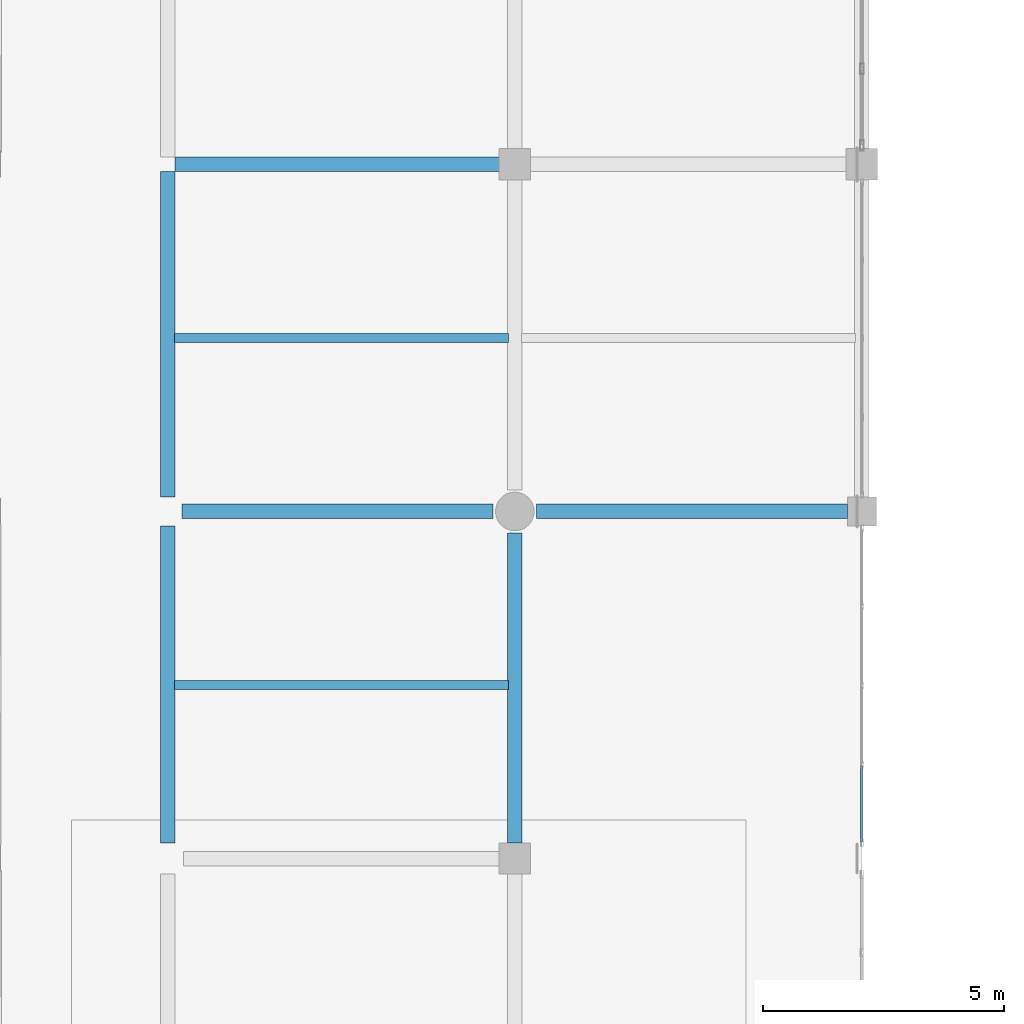
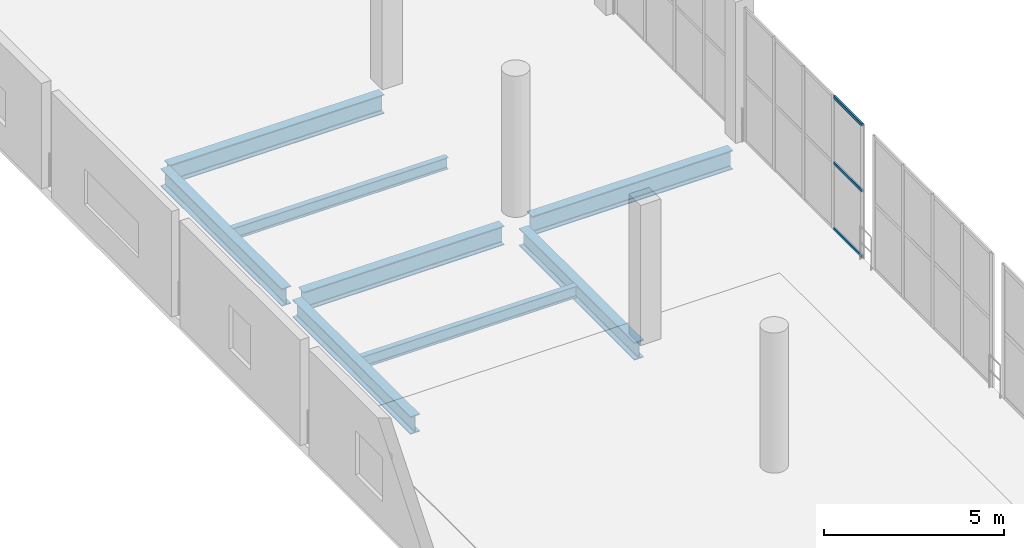
# One storey, part 49 of 105: 8 beams, 3 members, 1 element without a shape of its own.
"""IFC4 building model written with IfcOpenShell, lengths in metres."""

from ifc_helpers import new_model, si_unit, direction, frame, origin, origin_2d, place, context, subcontext, project, spatial, hollow_rectangle, i_section, extrude, material, material_profile, profile_set, type_object, element, aggregate, save


model = new_model("IFC4")

# Units and contexts
model_context = context("Model", 3, precision=1e-05, world=origin(), true_north=direction((0.0, 1.0)))
body_context = subcontext(model_context, "Body", "Model", "MODEL_VIEW")
ifc_project = project(units=[si_unit("LENGTHUNIT", "METRE"), si_unit("AREAUNIT", "SQUARE_METRE"), si_unit("VOLUMEUNIT", "CUBIC_METRE"), si_unit("PLANEANGLEUNIT", "RADIAN"), si_unit("MASSUNIT", "GRAM", prefix="KILO")], contexts=[model_context])

# Site, building, storey
site_placement = place(None, origin())
site = spatial("IfcSite", under=ifc_project, at=site_placement, CompositionType="ELEMENT")
building_placement = place(site_placement, origin())
building = spatial("IfcBuilding", under=site, at=building_placement, Name="Qandorah Velis Arena", CompositionType="ELEMENT")
storey_placement = place(building_placement, frame((0.0, 0.0, 13.800048828125)))
storey = spatial("IfcBuildingStorey", under=building, at=storey_placement, Name="L03", CompositionType="ELEMENT", Elevation=13.800048828125)

# Curtain wall, members
ifc_material_1 = material(Name="Solar-control low-E double glazing", Category="glass")
curtain_wall_type = type_object("IfcCurtainWallType", Name="ARC-CW-SYS20", PredefinedType="USERDEFINED", material=ifc_material_1)
curtain_wall_placement = place(storey_placement, origin())
curtain_wall = element("IfcCurtainWall", 1, at=curtain_wall_placement, inside=storey, type_object=curtain_wall_type, Name="Unitised curtain wall L03-116", ObjectType="UNITISED CURTAIN WALL", PredefinedType="USERDEFINED")
ifc_material_2 = material(Name="Champagne-bronze anodized aluminium 6063-T6", Category="aluminium")
ifc_material_profile_1 = material_profile(ifc_material_2, hollow_rectangle(XDim=0.054931640625, YDim=0.10009765625, WallThickness=0.0029296875, at=origin_2d()), Name="ALU TRANSOM 55x100")
ifc_profile_set_1 = profile_set([ifc_material_profile_1], Name="Champagne-bronze anodized aluminium 6063-T6")
member_type = type_object("IfcMemberType", Name="ARC-CWT-100", PredefinedType="USERDEFINED", material=ifc_profile_set_1)
member_1_placement = place(storey_placement, frame((122.39990234375, 79.54296875, 0.02734375), z_axis=(0.0, 1.0, 0.0), x_axis=(-1.0, 0.0, 0.0)))
member_1 = element("IfcMember", 2, at=member_1_placement, type_object=member_type, Name="CW20 transom 1.1", ObjectType="TRANSOM", PredefinedType="USERDEFINED", context=body_context, shape_type="SweptSolid", body=[
    extrude(hollow_rectangle(XDim=0.054931640625, YDim=0.10009765625, WallThickness=0.0029296875, at=origin_2d()), origin(), (0.0, 0.0, 1.0), 1.585205078125),
])
member_2_placement = place(storey_placement, frame((122.39990234375, 79.54296875, 2.264892578125), z_axis=(0.0, 1.0, 0.0), x_axis=(-1.0, 0.0, 0.0)))
member_2 = element("IfcMember", 3, at=member_2_placement, type_object=member_type, Name="CW20 transom 1.2", ObjectType="TRANSOM", PredefinedType="USERDEFINED", context=body_context, shape_type="SweptSolid", body=[
    extrude(hollow_rectangle(XDim=0.054931640625, YDim=0.10009765625, WallThickness=0.0029296875, at=origin_2d()), origin(), (0.0, 0.0, 1.0), 1.585205078125),
])
member_3_placement = place(storey_placement, frame((122.39990234375, 79.54296875, 4.50244140625), z_axis=(0.0, 1.0, 0.0), x_axis=(-1.0, 0.0, 0.0)))
member_3 = element("IfcMember", 4, at=member_3_placement, type_object=member_type, Name="CW20 transom 1.3", ObjectType="TRANSOM", PredefinedType="USERDEFINED", context=body_context, shape_type="SweptSolid", body=[
    extrude(hollow_rectangle(XDim=0.054931640625, YDim=0.10009765625, WallThickness=0.0029296875, at=origin_2d()), origin(), (0.0, 0.0, 1.0), 1.585205078125),
])
aggregate(curtain_wall, [member_1, member_2, member_3])

# Beams
ifc_material_3 = material(Name="Steel S355", Category="steel")
ifc_material_profile_2 = material_profile(ifc_material_3, i_section(OverallWidth=0.300048828125, OverallDepth=0.60009765625, WebThickness=0.015380859375, FlangeThickness=0.030029296875, FilletRadius=0.027099609375, at=origin_2d()), Name="HEB 600")
ifc_profile_set_2 = profile_set([ifc_material_profile_2], Name="Steel S355")
beam_type_1 = type_object("IfcBeamType", Name="STR-BM-HEB600", PredefinedType="BEAM", material=ifc_profile_set_2)
beam_1_placement = place(storey_placement, frame((108.0, 79.52490234375, -0.6201171875), z_axis=(0.0, 1.0, 0.0), x_axis=(-1.0, 0.0, 0.0)))
element("IfcBeam", 5, at=beam_1_placement, inside=storey, type_object=beam_type_1, Name="Primary floor girder L03 Y-292", PredefinedType="BEAM", context=body_context, shape_type="SweptSolid", body=[
    extrude(i_section(OverallWidth=0.300048828125, OverallDepth=0.60009765625, WebThickness=0.015380859375, FlangeThickness=0.030029296875, FilletRadius=0.027099609375, at=origin_2d()), origin(), (0.0, 0.0, 1.0), 6.5751953125),
])
beam_2_placement = place(storey_placement, frame((108.0, 86.699951171875, -0.6201171875), z_axis=(0.0, 1.0, 0.0), x_axis=(-1.0, 0.0, 0.0)))
element("IfcBeam", 6, at=beam_2_placement, inside=storey, type_object=beam_type_1, Name="Primary floor girder L03 Y-293", PredefinedType="BEAM", context=body_context, shape_type="SweptSolid", body=[
    extrude(i_section(OverallWidth=0.300048828125, OverallDepth=0.60009765625, WebThickness=0.015380859375, FlangeThickness=0.030029296875, FilletRadius=0.027099609375, at=origin_2d()), origin(), (0.0, 0.0, 1.0), 6.75),
])
beam_3_placement = place(storey_placement, frame((115.199951171875, 79.52490234375, -0.6201171875), z_axis=(0.0, 1.0, 0.0), x_axis=(-1.0, 0.0, 0.0)))
element("IfcBeam", 7, at=beam_3_placement, inside=storey, type_object=beam_type_1, Name="Primary floor girder L03 Y-309", PredefinedType="BEAM", context=body_context, shape_type="SweptSolid", body=[
    extrude(i_section(OverallWidth=0.300048828125, OverallDepth=0.60009765625, WebThickness=0.015380859375, FlangeThickness=0.030029296875, FilletRadius=0.027099609375, at=origin_2d()), origin(), (0.0, 0.0, 1.0), 6.425048828125),
])
ifc_material_profile_3 = material_profile(ifc_material_3, i_section(OverallWidth=0.300048828125, OverallDepth=0.64990234375, WebThickness=0.01611328125, FlangeThickness=0.031005859375, FilletRadius=0.027099609375, at=origin_2d()), Name="HEB 650")
ifc_profile_set_3 = profile_set([ifc_material_profile_3], Name="Steel S355")
beam_type_2 = type_object("IfcBeamType", Name="STR-BM-HEB650", PredefinedType="BEAM", material=ifc_profile_set_3)
beam_4_placement = place(storey_placement, frame((108.300048828125, 86.39990234375, -0.64501953125), z_axis=(1.0, 0.0, 0.0), x_axis=(0.0, 1.0, 0.0)))
element("IfcBeam", 8, at=beam_4_placement, inside=storey, type_object=beam_type_2, Name="Primary floor girder L03 X-107", PredefinedType="BEAM", context=body_context, shape_type="SweptSolid", body=[
    extrude(i_section(OverallWidth=0.300048828125, OverallDepth=0.64990234375, WebThickness=0.01611328125, FlangeThickness=0.031005859375, FilletRadius=0.027099609375, at=origin_2d()), origin(), (0.0, 0.0, 1.0), 6.449951171875),
])
beam_5_placement = place(storey_placement, frame((115.64990234375, 86.39990234375, -0.64501953125), z_axis=(1.0, 0.0, 0.0), x_axis=(0.0, 1.0, 0.0)))
element("IfcBeam", 9, at=beam_5_placement, inside=storey, type_object=beam_type_2, Name="Primary floor girder L03 X-108", PredefinedType="BEAM", context=body_context, shape_type="SweptSolid", body=[
    extrude(i_section(OverallWidth=0.300048828125, OverallDepth=0.64990234375, WebThickness=0.01611328125, FlangeThickness=0.031005859375, FilletRadius=0.027099609375, at=origin_2d()), origin(), (0.0, 0.0, 1.0), 6.4501953125),
])
beam_6_placement = place(storey_placement, frame((108.14990234375, 93.60009765625, -0.64501953125), z_axis=(1.0, 0.0, 0.0), x_axis=(0.0, 1.0, 0.0)))
element("IfcBeam", 10, at=beam_6_placement, inside=storey, type_object=beam_type_2, Name="Primary floor girder L03 X-114", PredefinedType="BEAM", context=body_context, shape_type="SweptSolid", body=[
    extrude(i_section(OverallWidth=0.300048828125, OverallDepth=0.64990234375, WebThickness=0.01611328125, FlangeThickness=0.031005859375, FilletRadius=0.027099609375, at=origin_2d()), origin(), (0.0, 0.0, 1.0), 6.900146484375),
])
ifc_material_profile_4 = material_profile(ifc_material_3, i_section(OverallWidth=0.179931640625, OverallDepth=0.39990234375, WebThickness=0.008544921875, FlangeThickness=0.013427734375, FilletRadius=0.02099609375, at=origin_2d()), Name="IPE 400")
ifc_profile_set_4 = profile_set([ifc_material_profile_4], Name="Steel S355")
beam_type_3 = type_object("IfcBeamType", Name="STR-JST-IPE400", PredefinedType="JOIST", material=ifc_profile_set_4)
for number, where, z_axis, x_axis, name in (
    (11, (108.135009765625, 82.800048828125, -0.52001953125), (1.0, 0.0, 0.0), (0.0, 1.0, 0.0), "Secondary floor joist L03-082"),
    (12, (108.135009765625, 90.0, -0.52001953125), (1.0, 0.0, 0.0), (0.0, 1.0, 0.0), "Secondary floor joist L03-083"),
):
    element("IfcBeam", number, at=place(storey_placement, frame(where, z_axis=z_axis, x_axis=x_axis)), inside=storey, type_object=beam_type_3, Name=name, PredefinedType="JOIST", context=body_context, shape_type="SweptSolid", body=[
        extrude(i_section(OverallWidth=0.179931640625, OverallDepth=0.39990234375, WebThickness=0.008544921875, FlangeThickness=0.013427734375, FilletRadius=0.02099609375, at=origin_2d()), origin(), (0.0, 0.0, 1.0), 6.929931640625),
    ])

save(model, "model.ifc")
